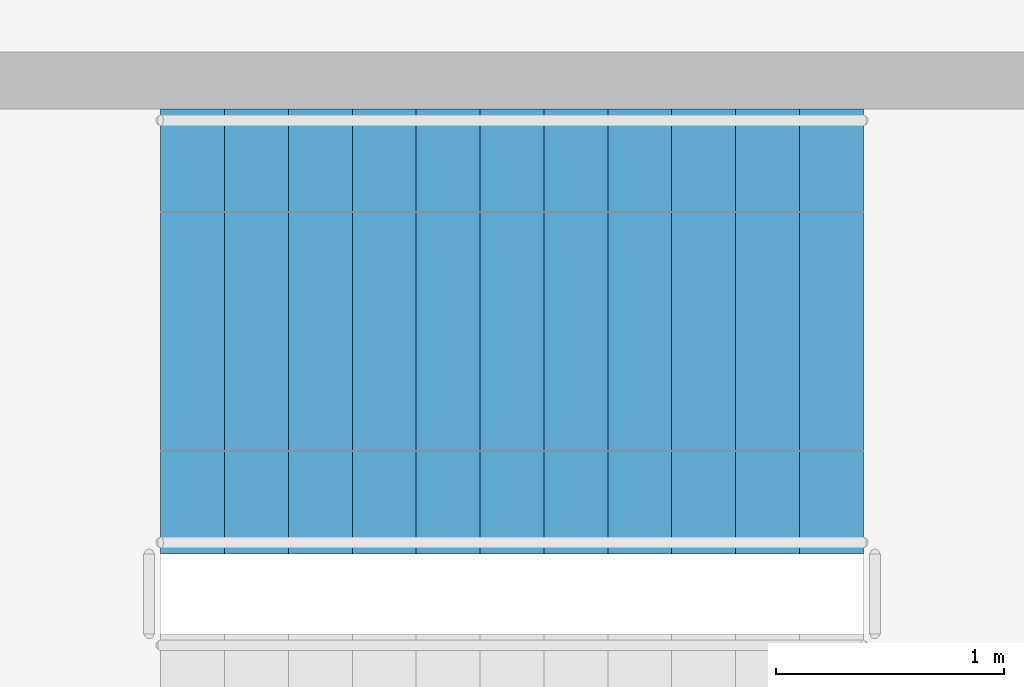
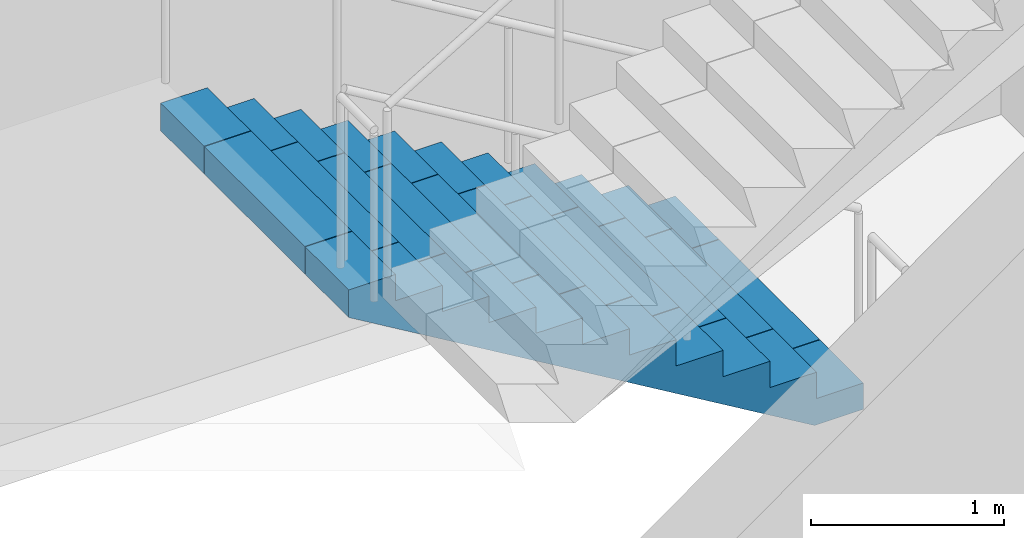
# One storey, part 12 of 13: 1 stair flight, 1 element without a shape of its own.
"""IFC4 building model written with IfcOpenShell, lengths in metres."""

import ifcopenshell
import ifcopenshell.guid

model = None  # the IFC model being written
_history = None  # IfcOwnerHistory: only IFC2X3 demands one
_inside = {}  # id of a spatial element -> (the spatial element, [elements in it])
_under = {}  # id of a project, library or spatial element -> (it, [spatial elements below it])
_declared = {}  # id of a project -> (the project, [libraries it declares])
_typed = {}  # id of a type object -> (the type object, [elements of that type])
_made_of = {}  # id of a material, layer set ... -> (it, [elements and type objects made of it])


def new_model(schema):
    """Start an empty IFC model of exactly this schema.

    Asked for "IFC4X3", IfcOpenShell would pick the latest addendum, in which some entities
    have other attributes; the version numbers below select the first issue.
    IFC2X3 requires an IfcOwnerHistory on every rooted entity: one is made here for all.
    """
    global model, _history
    if schema == "IFC4X3":
        model = ifcopenshell.file(schema_version=(4, 3, 0, 0))
    else:
        model = ifcopenshell.file(schema=schema)
    _inside.clear()
    _under.clear()
    _declared.clear()
    _typed.clear()
    _made_of.clear()
    _history = None
    if model.schema == "IFC2X3":
        org = make("IfcOrganization", Name="unknown")
        user = make(
            "IfcPersonAndOrganization",
            ThePerson=make("IfcPerson", FamilyName="unknown"),
            TheOrganization=org,
        )
        app = make(
            "IfcApplication",
            ApplicationDeveloper=org,
            Version="unknown",
            ApplicationFullName="unknown",
            ApplicationIdentifier="unknown",
        )
        _history = make(
            "IfcOwnerHistory",
            OwningUser=user,
            OwningApplication=app,
            ChangeAction="ADDED",
            CreationDate=0,
        )
    return model


def make(cls, **values):
    """One entity of the class cls with the attributes given. An attribute that is None is left unset."""
    return model.create_entity(
        cls, **{name: value for name, value in values.items() if value is not None}
    )


def rooted(cls, **values):
    """An entity with a GlobalId (a new one), such as an element, a storey or a relation."""
    return make(cls, GlobalId=ifcopenshell.guid.new(), OwnerHistory=_history, **values)


def si_unit(unit_type, name, prefix=None):
    """IfcSIUnit, for example si_unit("LENGTHUNIT", "METRE", prefix="MILLI")."""
    return make("IfcSIUnit", UnitType=unit_type, Prefix=prefix, Name=name)


def assignment(units):
    """IfcUnitAssignment: the units of a project."""
    return None if units is None else make("IfcUnitAssignment", Units=units)


def point(xyz):
    """IfcCartesianPoint."""
    return None if xyz is None else make("IfcCartesianPoint", Coordinates=xyz)


def direction(xyz):
    """IfcDirection."""
    return None if xyz is None else make("IfcDirection", DirectionRatios=xyz)


def frame(location, z_axis=None, x_axis=None):
    """IfcAxis2Placement3D, a coordinate frame: its origin and axes. An axis left out is left unset."""
    return make(
        "IfcAxis2Placement3D",
        Location=point(location),
        Axis=direction(z_axis),
        RefDirection=direction(x_axis),
    )


def origin():
    """The frame at (0, 0, 0) with its axes left unset."""
    return frame((0.0, 0.0, 0.0))


def place(relative_to, where):
    """IfcLocalPlacement: puts the frame where relative to a parent placement (None: the world)."""
    return make(
        "IfcLocalPlacement", PlacementRelTo=relative_to, RelativePlacement=where
    )


def context(
    kind, dimensions, precision=None, world=None, true_north=None, identifier=None
):
    """IfcGeometricRepresentationContext, for example the 3D "Model" context."""
    return make(
        "IfcGeometricRepresentationContext",
        ContextIdentifier=identifier,
        ContextType=kind,
        CoordinateSpaceDimension=dimensions,
        Precision=precision,
        WorldCoordinateSystem=world,
        TrueNorth=true_north,
    )


def subcontext(parent, identifier, kind, view, scale=None):
    """IfcGeometricRepresentationSubContext, for example "Body" below "Model"."""
    return make(
        "IfcGeometricRepresentationSubContext",
        ContextIdentifier=identifier,
        ContextType=kind,
        ParentContext=parent,
        TargetScale=scale,
        TargetView=view,
    )


def project(units=None, contexts=None):
    """IfcProject with its units and contexts."""
    return rooted(
        "IfcProject",
        Name="project",
        RepresentationContexts=contexts,
        UnitsInContext=assignment(units),
    )


def spatial(cls, under=None, at=None, **own):
    """A site, building, storey or space (cls), placed at a placement, below another one or the project."""
    s = rooted(cls, ObjectPlacement=at, **own)
    if under is not None:
        _under.setdefault(under.id(), (under, []))[1].append(s)
    return s


def polyline(points):
    """IfcPolyline through the points."""
    return make("IfcPolyline", Points=[point(p) for p in points])


def outline(outer, holes=None, kind="AREA"):
    """IfcArbitraryClosedProfileDef: a profile drawn as a closed curve; with holes, ...WithVoids."""
    if holes is None:
        return make("IfcArbitraryClosedProfileDef", ProfileType=kind, OuterCurve=outer)
    return make(
        "IfcArbitraryProfileDefWithVoids",
        ProfileType=kind,
        OuterCurve=outer,
        InnerCurves=holes,
    )


def extrude(swept, where, along, depth):
    """IfcExtrudedAreaSolid: the profile swept, set in the frame where, extruded along a direction by depth."""
    return make(
        "IfcExtrudedAreaSolid",
        SweptArea=swept,
        Position=where,
        ExtrudedDirection=direction(along),
        Depth=depth,
    )


def shape(context_of_items, identifier, shape_type, items):
    """IfcShapeRepresentation: the items that make up one representation, for example the "Body"."""
    return make(
        "IfcShapeRepresentation",
        ContextOfItems=context_of_items,
        RepresentationIdentifier=identifier,
        RepresentationType=shape_type,
        Items=items,
    )


def material(Name=None, Category=None):
    """IfcMaterial."""
    return make("IfcMaterial", Name=Name, Category=Category)


def made_of(thing, what):
    """Note that an element or type object is made of a material, layer set ...; save() writes the relation."""
    if what is not None:
        _made_of.setdefault(what.id(), (what, []))[1].append(thing)
    return thing


def type_object(cls, material=None, **own):
    """A type object (cls), such as IfcWallType, which elements share."""
    return made_of(rooted(cls, **own), material)


def element(
    cls,
    number,
    at=None,
    inside=None,
    cuts=None,
    type_object=None,
    material=None,
    context=None,
    identifier="Body",
    shape_type=None,
    held_by="IfcProductDefinitionShape",
    body=None,
    shapes=None,
    **own,
):
    """One element of the class cls, such as IfcWall. Its Tag is "e" and its number.

    at: its placement. inside: the storey or other place that contains it. cuts: it is an
    opening in that element (IfcRelVoidsElement). A single representation is given by context,
    identifier, shape_type and body (its items); several are given by shapes. held_by: the class
    of the entity that holds the representations. save() writes the other relations.
    """
    e = rooted(cls, Tag="e%d" % number, ObjectPlacement=at, **own)
    if body is not None:
        shapes = [shape(context, identifier, shape_type, body)]
    if shapes is not None:
        e.Representation = make(held_by, Representations=shapes)
    if inside is not None:
        _inside.setdefault(inside.id(), (inside, []))[1].append(e)
    if cuts is not None:
        rooted(
            "IfcRelVoidsElement", RelatingBuildingElement=cuts, RelatedOpeningElement=e
        )
    if type_object is not None:
        _typed.setdefault(type_object.id(), (type_object, []))[1].append(e)
    return made_of(e, material)


def aggregate(whole, parts):
    """IfcRelAggregates: a whole, such as a stair, and the parts it consists of."""
    return rooted("IfcRelAggregates", RelatingObject=whole, RelatedObjects=parts)


def save(model, path):
    """Write the relations noted so far, then the file.

    IfcRelAggregates (storeys below a building ...), IfcRelContainedInSpatialStructure (elements
    in a storey), IfcRelDefinesByType, IfcRelAssociatesMaterial and IfcRelDeclares: one each for
    every whole, place, type object, material and project.
    """
    for whole, parts in _under.values():
        aggregate(whole, parts)
    for where, things in _inside.values():
        rooted(
            "IfcRelContainedInSpatialStructure",
            RelatedElements=things,
            RelatingStructure=where,
        )
    for kind, things in _typed.values():
        rooted("IfcRelDefinesByType", RelatedObjects=things, RelatingType=kind)
    for what, things in _made_of.values():
        rooted("IfcRelAssociatesMaterial", RelatedObjects=things, RelatingMaterial=what)
    for by, libraries in _declared.values():
        rooted("IfcRelDeclares", RelatingContext=by, RelatedDefinitions=libraries)
    model.write(path)


model = new_model("IFC4")

# Units and contexts
model_context = context("Model", 3, precision=1e-05, world=origin(), true_north=direction((0.0, 1.0)))
body_context = subcontext(model_context, "Body", "Model", "MODEL_VIEW")
ifc_project = project(units=[si_unit("LENGTHUNIT", "METRE"), si_unit("AREAUNIT", "SQUARE_METRE"), si_unit("VOLUMEUNIT", "CUBIC_METRE"), si_unit("PLANEANGLEUNIT", "RADIAN"), si_unit("MASSUNIT", "GRAM", prefix="KILO")], contexts=[model_context])

# Site, building, storey
site_placement = place(None, origin())
site = spatial("IfcSite", under=ifc_project, at=site_placement, CompositionType="ELEMENT")
building_placement = place(site_placement, origin())
building = spatial("IfcBuilding", under=site, at=building_placement, Name="Corbelhall Arena Tower", CompositionType="ELEMENT")
storey_placement = place(building_placement, frame((0.0, 0.0, 312.0)))
storey = spatial("IfcBuildingStorey", under=building, at=storey_placement, Name="L68", CompositionType="ELEMENT", Elevation=312.0)

# Stair, stair flight
ifc_material = material(Name="Concrete C40/50", Category="concrete")
stair_type = type_object("IfcStairType", Name="IN-ST-TOWER", PredefinedType="HALF_TURN_STAIR", material=ifc_material)
stair_placement = place(storey_placement, origin())
stair = element("IfcStair", 1, at=stair_placement, inside=storey, type_object=stair_type, Name="L68 Exit stair ST3", PredefinedType="HALF_TURN_STAIR")
stair_flight_type = type_object("IfcStairFlightType", Name="IN-SFL-RC", PredefinedType="STRAIGHT", material=ifc_material)
stair_flight_placement = place(storey_placement, frame((11.425048828125, 15.699951171875, 0.0), z_axis=(0.0, 0.0, 1.0), x_axis=(-1.0, 0.0, 0.0)))
stair_flight = element("IfcStairFlight", 2, at=stair_flight_placement, type_object=stair_flight_type, Name="ST3 flight 1", NumberOfRisers=12, NumberOfTreads=11, PredefinedType="STRAIGHT", RiserHeight=0.166666667, TreadLength=0.28, context=body_context, shape_type="SweptSolid", body=[
    extrude(outline(polyline([(0.0, 0.0), (0.0, 0.166748046875), (0.280029296875, 0.166748046875), (0.280029296875, 0.333251953125), (0.56005859375, 0.333251953125), (0.56005859375, 0.5), (0.840087890625, 0.5), (0.840087890625, 0.666748046875), (1.1201171875, 0.666748046875), (1.1201171875, 0.833251953125), (1.39990234375, 0.833251953125), (1.39990234375, 1.0), (1.679931640625, 1.0), (1.679931640625, 1.166748046875), (1.9599609375, 1.166748046875), (1.9599609375, 1.333251953125), (2.239990234375, 1.333251953125), (2.239990234375, 1.5), (2.52001953125, 1.5), (2.52001953125, 1.666748046875), (2.800048828125, 1.666748046875), (2.800048828125, 1.833251953125), (3.080078125, 1.833251953125), (3.080078125, 2.0), (3.080078125, 1.658935546875), (0.29296875, 0.0), (0.0, 0.0)])), frame((0.0, 0.97509765625, 0.0), z_axis=(0.0, -1.0, 0.0), x_axis=(1.0, 0.0, 0.0)), (0.0, 0.0, 1.0), 0.449951171875),
    extrude(outline(polyline([(0.0, 0.0), (0.0, 0.166748046875), (0.280029296875, 0.166748046875), (0.280029296875, 0.333251953125), (0.56005859375, 0.333251953125), (0.56005859375, 0.5), (0.840087890625, 0.5), (0.840087890625, 0.666748046875), (1.1201171875, 0.666748046875), (1.1201171875, 0.833251953125), (1.39990234375, 0.833251953125), (1.39990234375, 1.0), (1.679931640625, 1.0), (1.679931640625, 1.166748046875), (1.9599609375, 1.166748046875), (1.9599609375, 1.333251953125), (2.239990234375, 1.333251953125), (2.239990234375, 1.5), (2.52001953125, 1.5), (2.52001953125, 1.666748046875), (2.800048828125, 1.666748046875), (2.800048828125, 1.833251953125), (3.080078125, 1.833251953125), (3.080078125, 2.0), (3.080078125, 1.658935546875), (0.29296875, 0.0), (0.0, 0.0)])), frame((0.0, 0.52099609375, 0.0), z_axis=(0.0, -1.0, 0.0), x_axis=(1.0, 0.0, 0.0)), (0.0, 0.0, 1.0), 1.0419921875),
    extrude(outline(polyline([(0.0, 0.0), (0.0, 0.166748046875), (0.280029296875, 0.166748046875), (0.280029296875, 0.333251953125), (0.56005859375, 0.333251953125), (0.56005859375, 0.5), (0.840087890625, 0.5), (0.840087890625, 0.666748046875), (1.1201171875, 0.666748046875), (1.1201171875, 0.833251953125), (1.39990234375, 0.833251953125), (1.39990234375, 1.0), (1.679931640625, 1.0), (1.679931640625, 1.166748046875), (1.9599609375, 1.166748046875), (1.9599609375, 1.333251953125), (2.239990234375, 1.333251953125), (2.239990234375, 1.5), (2.52001953125, 1.5), (2.52001953125, 1.666748046875), (2.800048828125, 1.666748046875), (2.800048828125, 1.833251953125), (3.080078125, 1.833251953125), (3.080078125, 2.0), (3.080078125, 1.658935546875), (0.29296875, 0.0), (0.0, 0.0)])), frame((0.0, -0.52490234375, 0.0), z_axis=(0.0, -1.0, 0.0), x_axis=(1.0, 0.0, 0.0)), (0.0, 0.0, 1.0), 0.449951171875),
])
aggregate(stair, [stair_flight])

save(model, "model.ifc")
